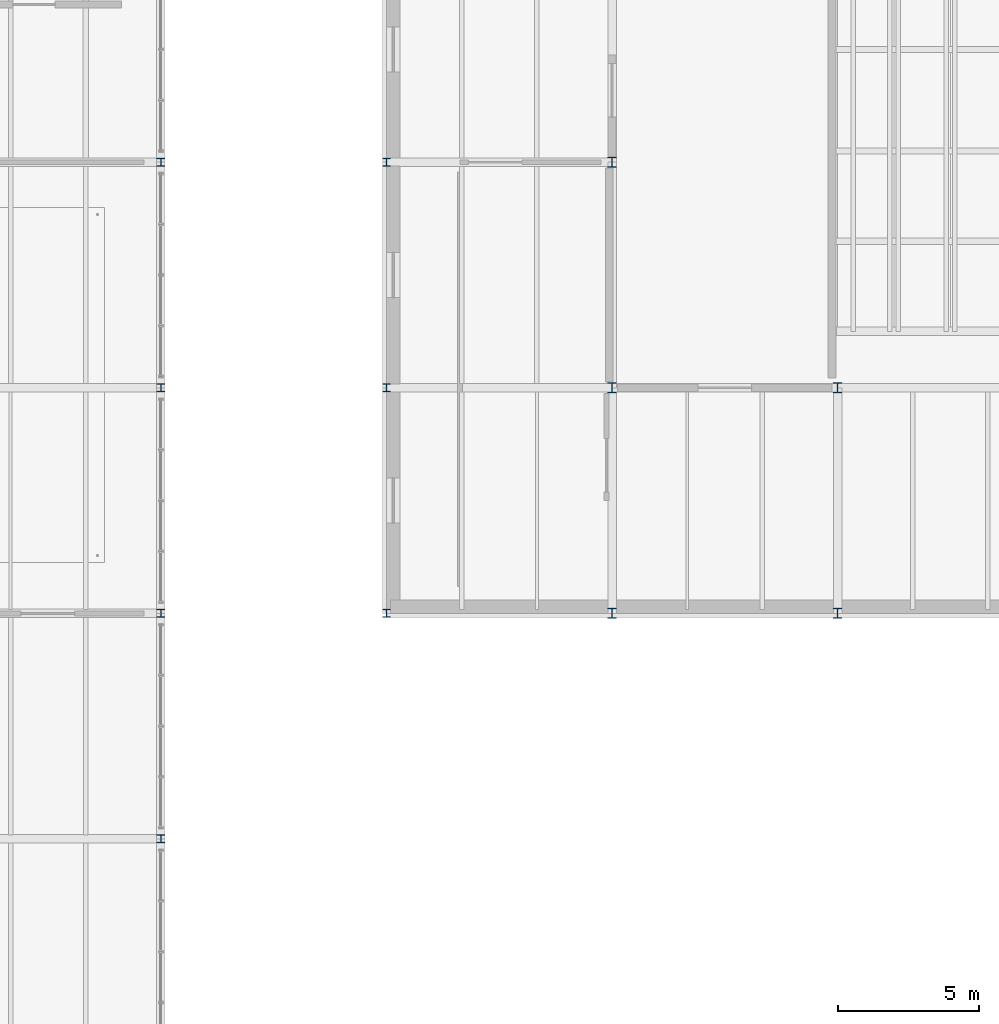
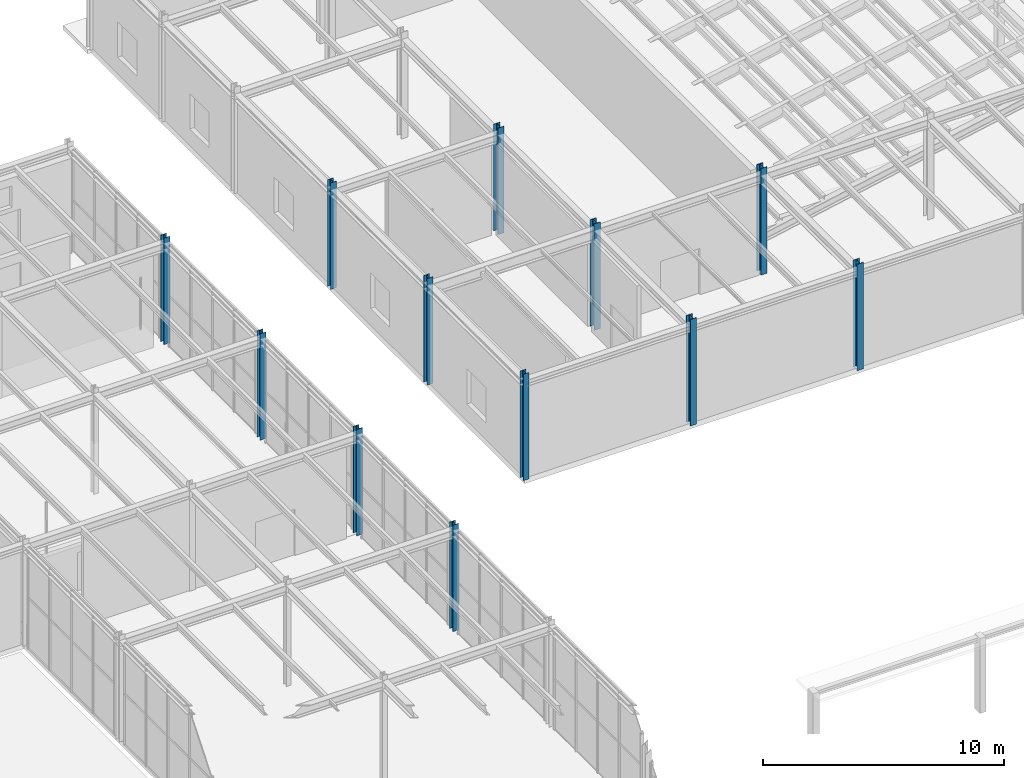
# One storey, part 15 of 129: 12 columns.
"""IFC4 building model written with IfcOpenShell, lengths in metres."""

import ifcopenshell
import ifcopenshell.guid

model = None  # the IFC model being written
_history = None  # IfcOwnerHistory: only IFC2X3 demands one
_inside = {}  # id of a spatial element -> (the spatial element, [elements in it])
_under = {}  # id of a project, library or spatial element -> (it, [spatial elements below it])
_declared = {}  # id of a project -> (the project, [libraries it declares])
_typed = {}  # id of a type object -> (the type object, [elements of that type])
_made_of = {}  # id of a material, layer set ... -> (it, [elements and type objects made of it])


def new_model(schema):
    """Start an empty IFC model of exactly this schema.

    Asked for "IFC4X3", IfcOpenShell would pick the latest addendum, in which some entities
    have other attributes; the version numbers below select the first issue.
    IFC2X3 requires an IfcOwnerHistory on every rooted entity: one is made here for all.
    """
    global model, _history
    if schema == "IFC4X3":
        model = ifcopenshell.file(schema_version=(4, 3, 0, 0))
    else:
        model = ifcopenshell.file(schema=schema)
    _inside.clear()
    _under.clear()
    _declared.clear()
    _typed.clear()
    _made_of.clear()
    _history = None
    if model.schema == "IFC2X3":
        org = make("IfcOrganization", Name="unknown")
        user = make(
            "IfcPersonAndOrganization",
            ThePerson=make("IfcPerson", FamilyName="unknown"),
            TheOrganization=org,
        )
        app = make(
            "IfcApplication",
            ApplicationDeveloper=org,
            Version="unknown",
            ApplicationFullName="unknown",
            ApplicationIdentifier="unknown",
        )
        _history = make(
            "IfcOwnerHistory",
            OwningUser=user,
            OwningApplication=app,
            ChangeAction="ADDED",
            CreationDate=0,
        )
    return model


def make(cls, **values):
    """One entity of the class cls with the attributes given. An attribute that is None is left unset."""
    return model.create_entity(
        cls, **{name: value for name, value in values.items() if value is not None}
    )


def rooted(cls, **values):
    """An entity with a GlobalId (a new one), such as an element, a storey or a relation."""
    return make(cls, GlobalId=ifcopenshell.guid.new(), OwnerHistory=_history, **values)


def si_unit(unit_type, name, prefix=None):
    """IfcSIUnit, for example si_unit("LENGTHUNIT", "METRE", prefix="MILLI")."""
    return make("IfcSIUnit", UnitType=unit_type, Prefix=prefix, Name=name)


def assignment(units):
    """IfcUnitAssignment: the units of a project."""
    return None if units is None else make("IfcUnitAssignment", Units=units)


def point(xyz):
    """IfcCartesianPoint."""
    return None if xyz is None else make("IfcCartesianPoint", Coordinates=xyz)


def direction(xyz):
    """IfcDirection."""
    return None if xyz is None else make("IfcDirection", DirectionRatios=xyz)


def frame(location, z_axis=None, x_axis=None):
    """IfcAxis2Placement3D, a coordinate frame: its origin and axes. An axis left out is left unset."""
    return make(
        "IfcAxis2Placement3D",
        Location=point(location),
        Axis=direction(z_axis),
        RefDirection=direction(x_axis),
    )


def frame_2d(location, x_axis=None):
    """IfcAxis2Placement2D, a coordinate frame in the plane: its origin and x axis."""
    return make(
        "IfcAxis2Placement2D", Location=point(location), RefDirection=direction(x_axis)
    )


def origin():
    """The frame at (0, 0, 0) with its axes left unset."""
    return frame((0.0, 0.0, 0.0))


def origin_2d():
    """The frame at (0, 0) in the plane with its x axis left unset."""
    return frame_2d((0.0, 0.0))


def place(relative_to, where):
    """IfcLocalPlacement: puts the frame where relative to a parent placement (None: the world)."""
    return make(
        "IfcLocalPlacement", PlacementRelTo=relative_to, RelativePlacement=where
    )


def context(
    kind, dimensions, precision=None, world=None, true_north=None, identifier=None
):
    """IfcGeometricRepresentationContext, for example the 3D "Model" context."""
    return make(
        "IfcGeometricRepresentationContext",
        ContextIdentifier=identifier,
        ContextType=kind,
        CoordinateSpaceDimension=dimensions,
        Precision=precision,
        WorldCoordinateSystem=world,
        TrueNorth=true_north,
    )


def subcontext(parent, identifier, kind, view, scale=None):
    """IfcGeometricRepresentationSubContext, for example "Body" below "Model"."""
    return make(
        "IfcGeometricRepresentationSubContext",
        ContextIdentifier=identifier,
        ContextType=kind,
        ParentContext=parent,
        TargetScale=scale,
        TargetView=view,
    )


def project(units=None, contexts=None):
    """IfcProject with its units and contexts."""
    return rooted(
        "IfcProject",
        Name="project",
        RepresentationContexts=contexts,
        UnitsInContext=assignment(units),
    )


def spatial(cls, under=None, at=None, **own):
    """A site, building, storey or space (cls), placed at a placement, below another one or the project."""
    s = rooted(cls, ObjectPlacement=at, **own)
    if under is not None:
        _under.setdefault(under.id(), (under, []))[1].append(s)
    return s


def profile(cls, at=None, kind="AREA", **sizes):
    """A parametric profile (cls). Its sizes go by their IFC names, for example OverallWidth=200.0."""
    return make(cls, ProfileType=kind, Position=at, **sizes)


def i_section(**sizes):
    """IfcIShapeProfileDef."""
    return profile("IfcIShapeProfileDef", **sizes)


def extrude(swept, where, along, depth):
    """IfcExtrudedAreaSolid: the profile swept, set in the frame where, extruded along a direction by depth."""
    return make(
        "IfcExtrudedAreaSolid",
        SweptArea=swept,
        Position=where,
        ExtrudedDirection=direction(along),
        Depth=depth,
    )


def shape(context_of_items, identifier, shape_type, items):
    """IfcShapeRepresentation: the items that make up one representation, for example the "Body"."""
    return make(
        "IfcShapeRepresentation",
        ContextOfItems=context_of_items,
        RepresentationIdentifier=identifier,
        RepresentationType=shape_type,
        Items=items,
    )


def material(Name=None, Category=None):
    """IfcMaterial."""
    return make("IfcMaterial", Name=Name, Category=Category)


def material_profile(
    of_material, cross_section, Name=None, Category=None, Priority=None
):
    """IfcMaterialProfile: a cross section and its material."""
    return make(
        "IfcMaterialProfile",
        Name=Name,
        Material=of_material,
        Profile=cross_section,
        Priority=Priority,
        Category=Category,
    )


def profile_set(profiles, Name=None, composite=None):
    """IfcMaterialProfileSet."""
    return make(
        "IfcMaterialProfileSet",
        Name=Name,
        MaterialProfiles=profiles,
        CompositeProfile=composite,
    )


def made_of(thing, what):
    """Note that an element or type object is made of a material, layer set ...; save() writes the relation."""
    if what is not None:
        _made_of.setdefault(what.id(), (what, []))[1].append(thing)
    return thing


def type_object(cls, material=None, **own):
    """A type object (cls), such as IfcWallType, which elements share."""
    return made_of(rooted(cls, **own), material)


def element(
    cls,
    number,
    at=None,
    inside=None,
    cuts=None,
    type_object=None,
    material=None,
    context=None,
    identifier="Body",
    shape_type=None,
    held_by="IfcProductDefinitionShape",
    body=None,
    shapes=None,
    **own,
):
    """One element of the class cls, such as IfcWall. Its Tag is "e" and its number.

    at: its placement. inside: the storey or other place that contains it. cuts: it is an
    opening in that element (IfcRelVoidsElement). A single representation is given by context,
    identifier, shape_type and body (its items); several are given by shapes. held_by: the class
    of the entity that holds the representations. save() writes the other relations.
    """
    e = rooted(cls, Tag="e%d" % number, ObjectPlacement=at, **own)
    if body is not None:
        shapes = [shape(context, identifier, shape_type, body)]
    if shapes is not None:
        e.Representation = make(held_by, Representations=shapes)
    if inside is not None:
        _inside.setdefault(inside.id(), (inside, []))[1].append(e)
    if cuts is not None:
        rooted(
            "IfcRelVoidsElement", RelatingBuildingElement=cuts, RelatedOpeningElement=e
        )
    if type_object is not None:
        _typed.setdefault(type_object.id(), (type_object, []))[1].append(e)
    return made_of(e, material)


def aggregate(whole, parts):
    """IfcRelAggregates: a whole, such as a stair, and the parts it consists of."""
    return rooted("IfcRelAggregates", RelatingObject=whole, RelatedObjects=parts)


def save(model, path):
    """Write the relations noted so far, then the file.

    IfcRelAggregates (storeys below a building ...), IfcRelContainedInSpatialStructure (elements
    in a storey), IfcRelDefinesByType, IfcRelAssociatesMaterial and IfcRelDeclares: one each for
    every whole, place, type object, material and project.
    """
    for whole, parts in _under.values():
        aggregate(whole, parts)
    for where, things in _inside.values():
        rooted(
            "IfcRelContainedInSpatialStructure",
            RelatedElements=things,
            RelatingStructure=where,
        )
    for kind, things in _typed.values():
        rooted("IfcRelDefinesByType", RelatedObjects=things, RelatingType=kind)
    for what, things in _made_of.values():
        rooted("IfcRelAssociatesMaterial", RelatedObjects=things, RelatingMaterial=what)
    for by, libraries in _declared.values():
        rooted("IfcRelDeclares", RelatingContext=by, RelatedDefinitions=libraries)
    model.write(path)


model = new_model("IFC4")

# Units and contexts
model_context = context("Model", 3, precision=1e-05, world=origin(), true_north=direction((0.0, 1.0)))
body_context = subcontext(model_context, "Body", "Model", "MODEL_VIEW")
ifc_project = project(units=[si_unit("LENGTHUNIT", "METRE"), si_unit("AREAUNIT", "SQUARE_METRE"), si_unit("VOLUMEUNIT", "CUBIC_METRE"), si_unit("PLANEANGLEUNIT", "RADIAN"), si_unit("MASSUNIT", "GRAM", prefix="KILO")], contexts=[model_context])

# Site, building, storey
site_placement = place(None, origin())
site = spatial("IfcSite", under=ifc_project, at=site_placement, CompositionType="ELEMENT")
building_placement = place(site_placement, origin())
building = spatial("IfcBuilding", under=site, at=building_placement, Name="Sundkrona Museum", CompositionType="ELEMENT")
storey_placement = place(building_placement, origin())
storey = spatial("IfcBuildingStorey", under=building, at=storey_placement, Name="L00", CompositionType="ELEMENT", Elevation=0.0)

# Columns
ifc_material = material(Name="Steel S355J2", Category="steel")
ifc_material_profile_1 = material_profile(ifc_material, i_section(OverallWidth=0.280029296875, OverallDepth=0.280029296875, WebThickness=0.010498046875, FlangeThickness=0.01806640625, FilletRadius=0.02392578125, at=origin_2d()), Name="HEB 280")
ifc_profile_set_1 = profile_set([ifc_material_profile_1], Name="Steel S355J2")
column_type_1 = type_object("IfcColumnType", Name="C-HEB280", PredefinedType="COLUMN", material=ifc_profile_set_1)
for number, where, z_axis, x_axis, name in (
    (1, (96.0, 70.0, 0.0), (0.0, 0.0, 1.0), (1.0, 0.0, 0.0), "L00 Column K/13"),
    (2, (96.0, 78.0, 0.0), (0.0, 0.0, 1.0), (1.0, 0.0, 0.0), "L00 Column L/13"),
    (3, (96.0, 86.0, 0.0), (0.0, 0.0, 1.0), (1.0, 0.0, 0.0), "L00 Column M/13"),
    (4, (96.0, 94.0, 0.0), (0.0, 0.0, 1.0), (1.0, 0.0, 0.0), "L00 Column N/13"),
    (5, (104.0, 78.0, 0.0), (0.0, 0.0, 1.0), (1.0, 0.0, 0.0), "L00 Column L/14"),
    (6, (104.0, 86.0, 0.0), (0.0, 0.0, 1.0), (1.0, 0.0, 0.0), "L00 Column M/14"),
    (7, (104.0, 94.0, 0.0), (0.0, 0.0, 1.0), (1.0, 0.0, 0.0), "L00 Column N/14"),
):
    element("IfcColumn", number, at=place(storey_placement, frame(where, z_axis=z_axis, x_axis=x_axis)), inside=storey, type_object=column_type_1, Name=name, PredefinedType="COLUMN", context=body_context, shape_type="SweptSolid", body=[
        extrude(i_section(OverallWidth=0.280029296875, OverallDepth=0.280029296875, WebThickness=0.010498046875, FlangeThickness=0.01806640625, FilletRadius=0.02392578125, at=origin_2d()), origin(), (0.0, 0.0, 1.0), 5.39990234375),
    ])
ifc_material_profile_2 = material_profile(ifc_material, i_section(OverallWidth=0.300048828125, OverallDepth=0.360107421875, WebThickness=0.012451171875, FlangeThickness=0.0224609375, FilletRadius=0.027099609375, at=origin_2d()), Name="HEB 360")
ifc_profile_set_2 = profile_set([ifc_material_profile_2], Name="Steel S355J2")
column_type_2 = type_object("IfcColumnType", Name="C-HEB360", PredefinedType="COLUMN", material=ifc_profile_set_2)
for number, where, z_axis, x_axis, name in (
    (8, (112.0, 78.0, 0.0), (0.0, 0.0, 1.0), (1.0, 0.0, 0.0), "L00 Column L/15"),
    (9, (112.0, 86.0, 0.0), (0.0, 0.0, 1.0), (1.0, 0.0, 0.0), "L00 Column M/15"),
    (10, (112.0, 94.0, 0.0), (0.0, 0.0, 1.0), (1.0, 0.0, 0.0), "L00 Column N/15"),
    (11, (120.0, 78.0, 0.0), (0.0, 0.0, 1.0), (1.0, 0.0, 0.0), "L00 Column L/16"),
    (12, (120.0, 86.0, 0.0), (0.0, 0.0, 1.0), (1.0, 0.0, 0.0), "L00 Column M/16"),
):
    element("IfcColumn", number, at=place(storey_placement, frame(where, z_axis=z_axis, x_axis=x_axis)), inside=storey, type_object=column_type_2, Name=name, PredefinedType="COLUMN", context=body_context, shape_type="SweptSolid", body=[
        extrude(i_section(OverallWidth=0.300048828125, OverallDepth=0.360107421875, WebThickness=0.012451171875, FlangeThickness=0.0224609375, FilletRadius=0.027099609375, at=origin_2d()), origin(), (0.0, 0.0, 1.0), 5.39990234375),
    ])

save(model, "model.ifc")
